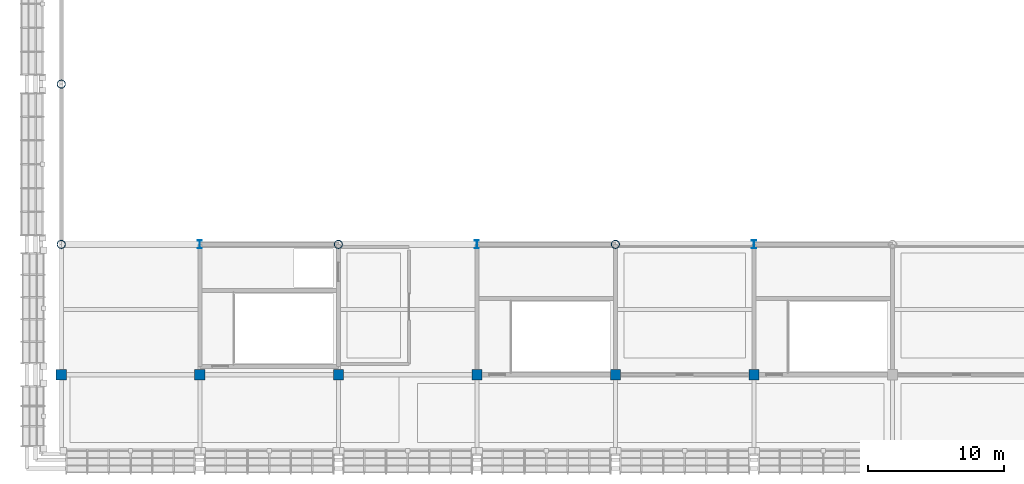
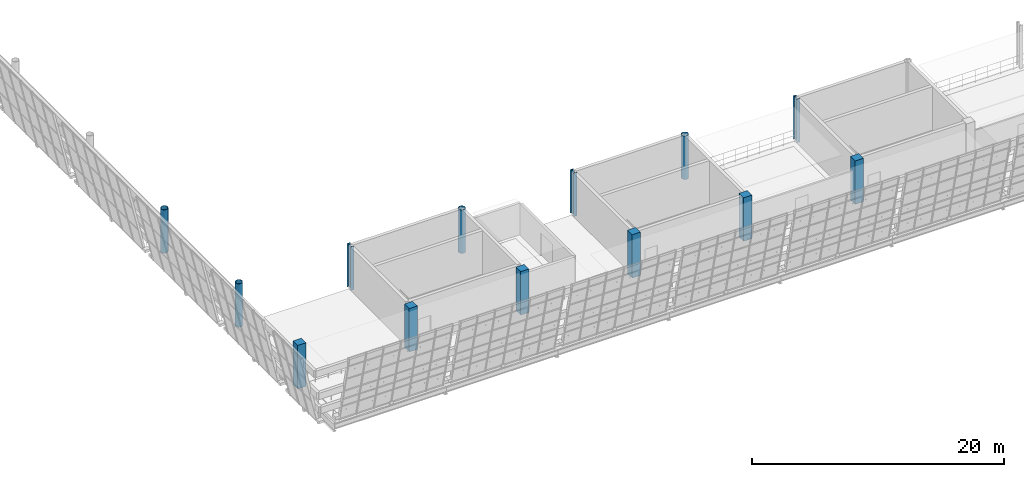
# One storey, part 1 of 157: 13 columns.
"""IFC4 building model written with IfcOpenShell, lengths in metres."""

from ifc_helpers import new_model, si_unit, direction, frame, origin, origin_2d, place, context, subcontext, project, spatial, rectangle, hollow_circle, i_section, extrude, material, material_profile, profile_set, type_object, element, save


model = new_model("IFC4")

# Units and contexts
model_context = context("Model", 3, precision=1e-05, world=origin(), true_north=direction((0.0, 1.0)))
body_context = subcontext(model_context, "Body", "Model", "MODEL_VIEW")
ifc_project = project(units=[si_unit("LENGTHUNIT", "METRE"), si_unit("AREAUNIT", "SQUARE_METRE"), si_unit("VOLUMEUNIT", "CUBIC_METRE"), si_unit("PLANEANGLEUNIT", "RADIAN"), si_unit("MASSUNIT", "GRAM", prefix="KILO")], contexts=[model_context])

# Site, building, storey
site_placement = place(None, origin())
site = spatial("IfcSite", under=ifc_project, at=site_placement, CompositionType="ELEMENT")
building_placement = place(site_placement, origin())
building = spatial("IfcBuilding", under=site, at=building_placement, Name="Brelvane Convention Centre", CompositionType="ELEMENT")
storey_placement = place(building_placement, frame((0.0, 0.0, 10.800048828125)))
storey = spatial("IfcBuildingStorey", under=building, at=storey_placement, Name="L02", CompositionType="ELEMENT", Elevation=10.800048828125)

# Columns
ifc_material_1 = material(Name="Concrete M50", Category="concrete")
ifc_material_profile_1 = material_profile(ifc_material_1, rectangle(XDim=0.75, YDim=0.75, at=origin_2d()), Name="RC 750x750")
ifc_profile_set_1 = profile_set([ifc_material_profile_1], Name="Concrete M50")
column_type_1 = type_object("IfcColumnType", Name="RC Column C-RC3 (RC 750x750)", PredefinedType="COLUMN", material=ifc_profile_set_1)
for number, where, z_axis, x_axis, name in (
    (1, (0.0, 19.199951171875, 0.0), (0.0, 0.0, 1.0), (1.0, 0.0, 0.0), "Column 1-C (L02)"),
    (2, (10.199951171875, 19.199951171875, 0.0), (0.0, 0.0, 1.0), (1.0, 0.0, 0.0), "Column 2-C (L02)"),
    (3, (20.39990234375, 19.199951171875, 0.0), (0.0, 0.0, 1.0), (1.0, 0.0, 0.0), "Column 3-C (L02)"),
    (4, (30.60009765625, 19.199951171875, 0.0), (0.0, 0.0, 1.0), (1.0, 0.0, 0.0), "Column 4-C (L02)"),
    (5, (40.800048828125, 19.199951171875, 0.0), (0.0, 0.0, 1.0), (1.0, 0.0, 0.0), "Column 5-C (L02)"),
    (6, (51.0, 19.199951171875, 0.0), (0.0, 0.0, 1.0), (1.0, 0.0, 0.0), "Column 6-C (L02)"),
):
    element("IfcColumn", number, at=place(storey_placement, frame(where, z_axis=z_axis, x_axis=x_axis)), inside=storey, type_object=column_type_1, Name=name, PredefinedType="COLUMN", context=body_context, shape_type="SweptSolid", body=[
        extrude(rectangle(XDim=0.75, YDim=0.75, at=origin_2d()), origin(), (0.0, 0.0, 1.0), 4.199951171875),
    ])
ifc_material_2 = material(Name="Steel E450 (450 MPa)", Category="steel")
ifc_material_profile_2 = material_profile(ifc_material_2, hollow_circle(Radius=0.304931640625, WallThickness=0.02490234375, at=origin_2d()), Name="CHS 610.0x25.0")
ifc_profile_set_2 = profile_set([ifc_material_profile_2], Name="Steel E450 (450 MPa)")
column_type_2 = type_object("IfcColumnType", Name="Steel Column C-ST1 (CHS 610.0x25.0)", PredefinedType="COLUMN", material=ifc_profile_set_2)
for number, where, z_axis, x_axis, name in (
    (7, (0.0, 28.800048828125, 0.0), (0.0, 0.0, 1.0), (1.0, 0.0, 0.0), "Column 1-D (L02)"),
    (8, (0.0, 40.60009765625, 0.0), (0.0, 0.0, 1.0), (1.0, 0.0, 0.0), "Column 1-E (L02)"),
    (9, (20.39990234375, 28.800048828125, 0.0), (0.0, 0.0, 1.0), (1.0, 0.0, 0.0), "Column 3-D (L02)"),
    (10, (40.800048828125, 28.800048828125, 0.0), (0.0, 0.0, 1.0), (1.0, 0.0, 0.0), "Column 5-D (L02)"),
):
    element("IfcColumn", number, at=place(storey_placement, frame(where, z_axis=z_axis, x_axis=x_axis)), inside=storey, type_object=column_type_2, Name=name, PredefinedType="COLUMN", context=body_context, shape_type="SweptSolid", body=[
        extrude(hollow_circle(Radius=0.304931640625, WallThickness=0.02490234375, at=origin_2d()), origin(), (0.0, 0.0, 1.0), 4.199951171875),
    ])
ifc_material_3 = material(Name="Steel E450 (450 MPa)", Category="steel")
ifc_material_profile_3 = material_profile(ifc_material_3, i_section(OverallWidth=0.300048828125, OverallDepth=0.60009765625, WebThickness=0.015380859375, FlangeThickness=0.030029296875, FilletRadius=0.027099609375, at=origin_2d()), Name="WPB 600x300")
ifc_profile_set_3 = profile_set([ifc_material_profile_3], Name="Steel E450 (450 MPa)")
column_type_3 = type_object("IfcColumnType", Name="Steel Column C-ST5 (WPB 600x300)", PredefinedType="COLUMN", material=ifc_profile_set_3)
for number, where, z_axis, x_axis, name in (
    (11, (10.199951171875, 28.800048828125, 0.0), (0.0, 0.0, 1.0), (1.0, 0.0, 0.0), "Column 2-D (L02)"),
    (12, (30.60009765625, 28.800048828125, 0.0), (0.0, 0.0, 1.0), (1.0, 0.0, 0.0), "Column 4-D (L02)"),
    (13, (51.0, 28.800048828125, 0.0), (0.0, 0.0, 1.0), (1.0, 0.0, 0.0), "Column 6-D (L02)"),
):
    element("IfcColumn", number, at=place(storey_placement, frame(where, z_axis=z_axis, x_axis=x_axis)), inside=storey, type_object=column_type_3, Name=name, PredefinedType="COLUMN", context=body_context, shape_type="SweptSolid", body=[
        extrude(i_section(OverallWidth=0.300048828125, OverallDepth=0.60009765625, WebThickness=0.015380859375, FlangeThickness=0.030029296875, FilletRadius=0.027099609375, at=origin_2d()), origin(), (0.0, 0.0, 1.0), 4.199951171875),
    ])

save(model, "model.ifc")
